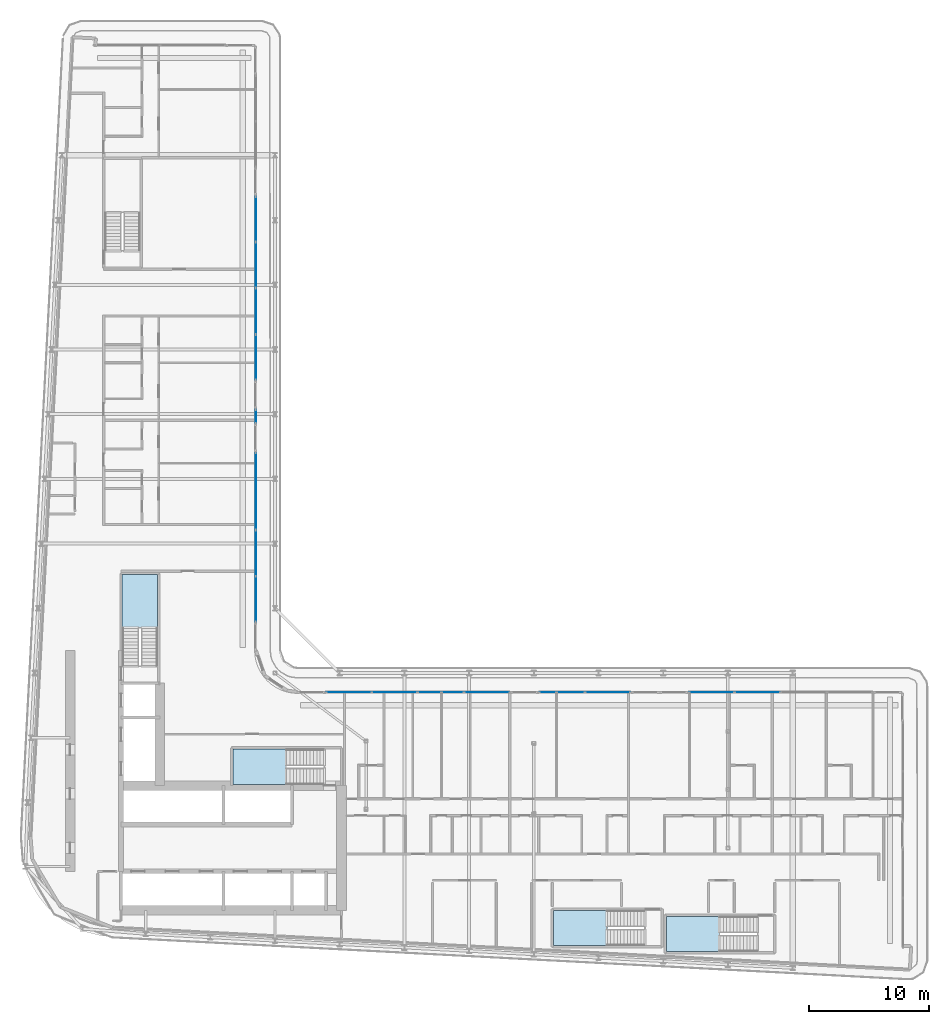
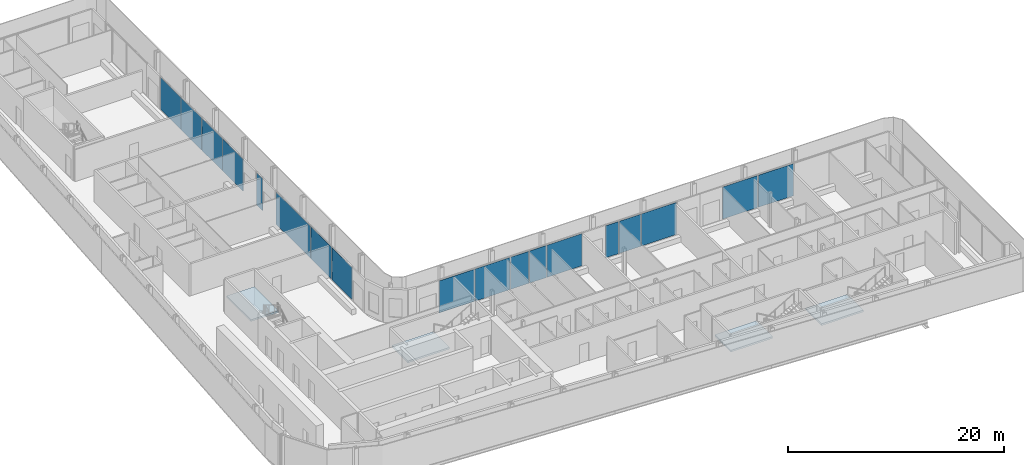
# One storey, part 12 of 30: 18 plates, 4 slabs, 13 elements without a shape of their own.
"""IFC4 building model written with IfcOpenShell, lengths in metres."""

from ifc_helpers import new_model, si_unit, direction, frame, origin, origin_2d, place, context, subcontext, project, spatial, polyline, rectangle, outline, extrude, material, layer, layer_set, type_object, element, aggregate, save


model = new_model("IFC4")

# Units and contexts
model_context = context("Model", 3, precision=1e-05, world=origin(), true_north=direction((0.0, 1.0)))
body_context = subcontext(model_context, "Body", "Model", "MODEL_VIEW")
ifc_project = project(units=[si_unit("LENGTHUNIT", "METRE"), si_unit("AREAUNIT", "SQUARE_METRE"), si_unit("VOLUMEUNIT", "CUBIC_METRE"), si_unit("PLANEANGLEUNIT", "RADIAN"), si_unit("MASSUNIT", "GRAM", prefix="KILO")], contexts=[model_context])

# Site, building, storey
site_placement = place(None, origin())
site = spatial("IfcSite", under=ifc_project, at=site_placement, CompositionType="ELEMENT")
building_placement = place(site_placement, origin())
building = spatial("IfcBuilding", under=site, at=building_placement, Name="Kheshtan School and Residences Tower", CompositionType="ELEMENT")
storey_placement = place(building_placement, frame((0.0, 0.0, 199.39990234375)))
storey = spatial("IfcBuildingStorey", under=building, at=storey_placement, Name="L47", CompositionType="ELEMENT", Elevation=199.39990234375)

# Curtain wall, plates
ifc_material_1 = material(Name="Clear low-e glass in thermally broken aluminium frame", Category="aluminium")
ifc_layer_1 = layer(ifc_material_1, 0.199951171875)
ifc_layer_set_1 = layer_set([ifc_layer_1], Name="Curtain wall CW-L")
curtain_wall_type = type_object("IfcCurtainWallType", Name="Curtain wall CW-L", PredefinedType="NOTDEFINED", material=ifc_layer_set_1)
curtain_wall_1_placement = place(storey_placement, origin())
curtain_wall_1 = element("IfcCurtainWall", 1, at=curtain_wall_1_placement, inside=storey, type_object=curtain_wall_type, Name="Curtain wall CWL8", PredefinedType="NOTDEFINED")
ifc_layer_2 = layer(ifc_material_1, 0.031982421875)
ifc_layer_set_2 = layer_set([ifc_layer_2], Name="CW-L glass panel")
plate_type = type_object("IfcPlateType", Name="CW-L glass panel", PredefinedType="CURTAIN_PANEL", material=ifc_layer_set_2)
plate_1_placement = place(storey_placement, frame((46.0, 83.467529296875, 0.000244140625), z_axis=(0.0, 0.0, 1.0), x_axis=(0.0, -1.0, 0.0)))
plate_1 = element("IfcPlate", 2, at=plate_1_placement, type_object=plate_type, Name="CWL8 panel 1.1", PredefinedType="CURTAIN_PANEL", context=body_context, shape_type="SweptSolid", body=[
    extrude(rectangle(XDim=3.757080078125, YDim=0.031982421875, at=origin_2d()), origin(), (0.0, 0.0, 1.0), 3.6298828125),
])
plate_2_placement = place(storey_placement, frame((46.0, 79.650390625, 0.000244140625), z_axis=(0.0, 0.0, 1.0), x_axis=(0.0, -1.0, 0.0)))
plate_2 = element("IfcPlate", 3, at=plate_2_placement, type_object=plate_type, Name="CWL8 panel 2.1", PredefinedType="CURTAIN_PANEL", context=body_context, shape_type="SweptSolid", body=[
    extrude(rectangle(XDim=3.757080078125, YDim=0.031982421875, at=origin_2d()), origin(), (0.0, 0.0, 1.0), 3.6298828125),
])
aggregate(curtain_wall_1, [plate_1, plate_2])

curtain_wall_2_placement = place(storey_placement, origin())
curtain_wall_2 = element("IfcCurtainWall", 4, at=curtain_wall_2_placement, inside=storey, type_object=curtain_wall_type, Name="Curtain wall CWL8", PredefinedType="NOTDEFINED")
plate_3_placement = place(storey_placement, frame((46.0, 75.803466796875, 0.000244140625), z_axis=(0.0, 0.0, 1.0), x_axis=(0.0, -1.0, 0.0)))
plate_3 = element("IfcPlate", 5, at=plate_3_placement, type_object=plate_type, Name="CWL8 panel 1.1", PredefinedType="CURTAIN_PANEL", context=body_context, shape_type="SweptSolid", body=[
    extrude(rectangle(XDim=3.81689453125, YDim=0.031982421875, at=origin_2d()), origin(), (0.0, 0.0, 1.0), 3.6298828125),
])
plate_4_placement = place(storey_placement, frame((46.0, 71.95654296875, 0.000244140625), z_axis=(0.0, 0.0, 1.0), x_axis=(0.0, -1.0, 0.0)))
plate_4 = element("IfcPlate", 6, at=plate_4_placement, type_object=plate_type, Name="CWL8 panel 2.1", PredefinedType="CURTAIN_PANEL", context=body_context, shape_type="SweptSolid", body=[
    extrude(rectangle(XDim=3.757080078125, YDim=0.031982421875, at=origin_2d()), origin(), (0.0, 0.0, 1.0), 3.6298828125),
])
aggregate(curtain_wall_2, [plate_3, plate_4])

# Curtain wall, plate
curtain_wall_3_placement = place(storey_placement, origin())
curtain_wall_3 = element("IfcCurtainWall", 7, at=curtain_wall_3_placement, inside=storey, type_object=curtain_wall_type, Name="Curtain wall CWL8g", PredefinedType="NOTDEFINED")
plate_5_placement = place(storey_placement, frame((46.0, 67.01806640625, 0.000244140625), z_axis=(0.0, 0.0, 1.0), x_axis=(0.0, -1.0, 0.0)))
plate_5 = element("IfcPlate", 8, at=plate_5_placement, type_object=plate_type, Name="CWL8g panel 1.1", PredefinedType="CURTAIN_PANEL", context=body_context, shape_type="SweptSolid", body=[
    extrude(rectangle(XDim=1.080078125, YDim=0.031982421875, at=origin_2d()), origin(), (0.0, 0.0, 1.0), 3.6298828125),
])
aggregate(curtain_wall_3, [plate_5])

curtain_wall_4_placement = place(storey_placement, origin())
curtain_wall_4 = element("IfcCurtainWall", 9, at=curtain_wall_4_placement, inside=storey, type_object=curtain_wall_type, Name="Curtain wall CWL8h", PredefinedType="NOTDEFINED")
plate_6_placement = place(storey_placement, frame((46.0, 60.77099609375, 0.000244140625), z_axis=(0.0, 0.0, 1.0), x_axis=(0.0, -1.0, 0.0)))
plate_6 = element("IfcPlate", 10, at=plate_6_placement, type_object=plate_type, Name="CWL8h panel 1.1", PredefinedType="CURTAIN_PANEL", context=body_context, shape_type="SweptSolid", body=[
    extrude(rectangle(XDim=6.3740234375, YDim=0.031982421875, at=origin_2d()), origin(), (0.0, 0.0, 1.0), 3.6298828125),
])
aggregate(curtain_wall_4, [plate_6])

# Curtain wall, plates
curtain_wall_5_placement = place(storey_placement, origin())
curtain_wall_5 = element("IfcCurtainWall", 11, at=curtain_wall_5_placement, inside=storey, type_object=curtain_wall_type, Name="Curtain wall CWL8", PredefinedType="NOTDEFINED")
plate_7_placement = place(storey_placement, frame((46.0, 55.615478515625, 0.000244140625), z_axis=(0.0, 0.0, 1.0), x_axis=(0.0, -1.0, 0.0)))
plate_7 = element("IfcPlate", 12, at=plate_7_placement, type_object=plate_type, Name="CWL8 panel 1.1", PredefinedType="CURTAIN_PANEL", context=body_context, shape_type="SweptSolid", body=[
    extrude(rectangle(XDim=3.81689453125, YDim=0.031982421875, at=origin_2d()), origin(), (0.0, 0.0, 1.0), 3.6298828125),
])
plate_8_placement = place(storey_placement, frame((46.0, 51.7685546875, 0.000244140625), z_axis=(0.0, 0.0, 1.0), x_axis=(0.0, -1.0, 0.0)))
plate_8 = element("IfcPlate", 13, at=plate_8_placement, type_object=plate_type, Name="CWL8 panel 2.1", PredefinedType="CURTAIN_PANEL", context=body_context, shape_type="SweptSolid", body=[
    extrude(rectangle(XDim=3.757080078125, YDim=0.031982421875, at=origin_2d()), origin(), (0.0, 0.0, 1.0), 3.6298828125),
])
aggregate(curtain_wall_5, [plate_7, plate_8])

curtain_wall_6_placement = place(storey_placement, origin())
curtain_wall_6 = element("IfcCurtainWall", 14, at=curtain_wall_6_placement, inside=storey, type_object=curtain_wall_type, Name="Curtain wall CWL12j", PredefinedType="NOTDEFINED")
plate_9_placement = place(storey_placement, frame((53.7685546875, 44.0, 0.000244140625), z_axis=(0.0, 0.0, 1.0), x_axis=(1.0, 0.0, 0.0)))
plate_9 = element("IfcPlate", 15, at=plate_9_placement, type_object=plate_type, Name="CWL12j panel 1.1", PredefinedType="CURTAIN_PANEL", context=body_context, shape_type="SweptSolid", body=[
    extrude(rectangle(XDim=3.757080078125, YDim=0.031982421875, at=origin_2d()), origin(), (0.0, 0.0, 1.0), 3.6298828125),
])
plate_10_placement = place(storey_placement, frame((57.58544921875, 44.0, 0.000244140625), z_axis=(0.0, 0.0, 1.0), x_axis=(1.0, 0.0, 0.0)))
plate_10 = element("IfcPlate", 16, at=plate_10_placement, type_object=plate_type, Name="CWL12j panel 2.1", PredefinedType="CURTAIN_PANEL", context=body_context, shape_type="SweptSolid", body=[
    extrude(rectangle(XDim=3.757080078125, YDim=0.031982421875, at=origin_2d()), origin(), (0.0, 0.0, 1.0), 3.6298828125),
])
aggregate(curtain_wall_6, [plate_9, plate_10])

curtain_wall_7_placement = place(storey_placement, origin())
curtain_wall_7 = element("IfcCurtainWall", 17, at=curtain_wall_7_placement, inside=storey, type_object=curtain_wall_type, Name="Curtain wall CWL12k", PredefinedType="NOTDEFINED")
plate_11_placement = place(storey_placement, frame((60.4970703125, 44.0, 0.000244140625), z_axis=(0.0, 0.0, 1.0), x_axis=(1.0, 0.0, 0.0)))
plate_11 = element("IfcPlate", 18, at=plate_11_placement, type_object=plate_type, Name="CWL12k panel 1.1", PredefinedType="CURTAIN_PANEL", context=body_context, shape_type="SweptSolid", body=[
    extrude(rectangle(XDim=1.946044921875, YDim=0.031982421875, at=origin_2d()), origin(), (0.0, 0.0, 1.0), 3.6298828125),
])
plate_12_placement = place(storey_placement, frame((62.435546875, 44.0, 0.000244140625), z_axis=(0.0, 0.0, 1.0), x_axis=(1.0, 0.0, 0.0)))
plate_12 = element("IfcPlate", 19, at=plate_12_placement, type_object=plate_type, Name="CWL12k panel 2.1", PredefinedType="CURTAIN_PANEL", context=body_context, shape_type="SweptSolid", body=[
    extrude(rectangle(XDim=1.81103515625, YDim=0.031982421875, at=origin_2d()), origin(), (0.0, 0.0, 1.0), 3.6298828125),
])
plate_13_placement = place(storey_placement, frame((65.279541015625, 44.0, 0.000244140625), z_axis=(0.0, 0.0, 1.0), x_axis=(1.0, 0.0, 0.0)))
plate_13 = element("IfcPlate", 20, at=plate_13_placement, type_object=plate_type, Name="CWL12k panel 3.1", PredefinedType="CURTAIN_PANEL", context=body_context, shape_type="SweptSolid", body=[
    extrude(rectangle(XDim=3.757080078125, YDim=0.031982421875, at=origin_2d()), origin(), (0.0, 0.0, 1.0), 3.6298828125),
])
aggregate(curtain_wall_7, [plate_11, plate_12, plate_13])

curtain_wall_8_placement = place(storey_placement, origin())
curtain_wall_8 = element("IfcCurtainWall", 21, at=curtain_wall_8_placement, inside=storey, type_object=curtain_wall_type, Name="Curtain wall CWL12k", PredefinedType="NOTDEFINED")
plate_14_placement = place(storey_placement, frame((70.3740234375, 44.0, 0.000244140625), z_axis=(0.0, 0.0, 1.0), x_axis=(1.0, 0.0, 0.0)))
plate_14 = element("IfcPlate", 22, at=plate_14_placement, type_object=plate_type, Name="CWL12k panel 1.1", PredefinedType="CURTAIN_PANEL", context=body_context, shape_type="SweptSolid", body=[
    extrude(rectangle(XDim=1.39208984375, YDim=0.031982421875, at=origin_2d()), origin(), (0.0, 0.0, 1.0), 3.6298828125),
])
plate_15_placement = place(storey_placement, frame((72.282470703125, 44.0, 0.000244140625), z_axis=(0.0, 0.0, 1.0), x_axis=(1.0, 0.0, 0.0)))
plate_15 = element("IfcPlate", 23, at=plate_15_placement, type_object=plate_type, Name="CWL12k panel 2.1", PredefinedType="CURTAIN_PANEL", context=body_context, shape_type="SweptSolid", body=[
    extrude(rectangle(XDim=2.304931640625, YDim=0.031982421875, at=origin_2d()), origin(), (0.0, 0.0, 1.0), 3.6298828125),
])
plate_16_placement = place(storey_placement, frame((75.37353515625, 44.0, 0.000244140625), z_axis=(0.0, 0.0, 1.0), x_axis=(1.0, 0.0, 0.0)))
plate_16 = element("IfcPlate", 24, at=plate_16_placement, type_object=plate_type, Name="CWL12k panel 3.1", PredefinedType="CURTAIN_PANEL", context=body_context, shape_type="SweptSolid", body=[
    extrude(rectangle(XDim=3.757080078125, YDim=0.031982421875, at=origin_2d()), origin(), (0.0, 0.0, 1.0), 3.6298828125),
])
aggregate(curtain_wall_8, [plate_14, plate_15, plate_16])

curtain_wall_9_placement = place(storey_placement, origin())
curtain_wall_9 = element("IfcCurtainWall", 25, at=curtain_wall_9_placement, inside=storey, type_object=curtain_wall_type, Name="Curtain wall CWL12j", PredefinedType="NOTDEFINED")
plate_17_placement = place(storey_placement, frame((84.050537109375, 44.0, 0.000244140625), z_axis=(0.0, 0.0, 1.0), x_axis=(1.0, 0.0, 0.0)))
plate_17 = element("IfcPlate", 26, at=plate_17_placement, type_object=plate_type, Name="CWL12j panel 1.1", PredefinedType="CURTAIN_PANEL", context=body_context, shape_type="SweptSolid", body=[
    extrude(rectangle(XDim=3.757080078125, YDim=0.031982421875, at=origin_2d()), origin(), (0.0, 0.0, 1.0), 3.6298828125),
])
plate_18_placement = place(storey_placement, frame((87.867431640625, 44.0, 0.000244140625), z_axis=(0.0, 0.0, 1.0), x_axis=(1.0, 0.0, 0.0)))
plate_18 = element("IfcPlate", 27, at=plate_18_placement, type_object=plate_type, Name="CWL12j panel 2.1", PredefinedType="CURTAIN_PANEL", context=body_context, shape_type="SweptSolid", body=[
    extrude(rectangle(XDim=3.757080078125, YDim=0.031982421875, at=origin_2d()), origin(), (0.0, 0.0, 1.0), 3.6298828125),
])
aggregate(curtain_wall_9, [plate_17, plate_18])

# Stair, slab
ifc_material_2 = material(Name="Concrete C40/50", Category="concrete")
stair_type = type_object("IfcStairType", Name="Exit stair, half-turn", PredefinedType="HALF_TURN_STAIR", material=ifc_material_2)
stair_1_placement = place(storey_placement, origin())
stair_1 = element("IfcStair", 28, at=stair_1_placement, inside=storey, type_object=stair_type, Name="L47 Protected Exit Stair ST1", PredefinedType="HALF_TURN_STAIR")
ifc_layer_3 = layer(ifc_material_2, 0.199951171875)
ifc_layer_set_3 = layer_set([ifc_layer_3], Name="Stair landing 200 Concrete C40/50")
slab_type = type_object("IfcSlabType", Name="Stair landing 200 Concrete C40/50", PredefinedType="LANDING", material=ifc_layer_set_3)
slab_1_placement = place(storey_placement, frame((0.0, 0.0, 1.75)))
slab_1 = element("IfcSlab", 29, at=slab_1_placement, type_object=slab_type, Name="ST1 landing 1", PredefinedType="LANDING", context=body_context, shape_type="SweptSolid", body=[
    extrude(outline(polyline([(48.570068359375, 39.25), (44.090087890625, 39.25), (44.090087890625, 36.300048828125), (48.570068359375, 36.300048828125), (48.570068359375, 39.25)])), origin(), (0.0, 0.0, 1.0), 0.2001953125),
])
aggregate(stair_1, [slab_1])

stair_2_placement = place(storey_placement, origin())
stair_2 = element("IfcStair", 30, at=stair_2_placement, inside=storey, type_object=stair_type, Name="L47 Protected Exit Stair ST2", PredefinedType="HALF_TURN_STAIR")
slab_2_placement = place(storey_placement, frame((0.0, 0.0, 1.75)))
slab_2 = element("IfcSlab", 31, at=slab_2_placement, type_object=slab_type, Name="ST2 landing 1", PredefinedType="LANDING", context=body_context, shape_type="SweptSolid", body=[
    extrude(outline(polyline([(37.800048828125, 49.330078125), (37.800048828125, 53.81005859375), (34.85009765625, 53.81005859375), (34.85009765625, 49.330078125), (37.800048828125, 49.330078125)])), origin(), (0.0, 0.0, 1.0), 0.2001953125),
])
aggregate(stair_2, [slab_2])

stair_3_placement = place(storey_placement, origin())
stair_3 = element("IfcStair", 32, at=stair_3_placement, inside=storey, type_object=stair_type, Name="L47 Protected Exit Stair ST4", PredefinedType="HALF_TURN_STAIR")
slab_3_placement = place(storey_placement, frame((0.0, 0.0, 1.75)))
slab_3 = element("IfcSlab", 33, at=slab_3_placement, type_object=slab_type, Name="ST4 landing 1", PredefinedType="LANDING", context=body_context, shape_type="SweptSolid", body=[
    extrude(outline(polyline([(84.739990234375, 25.300048828125), (80.260009765625, 25.300048828125), (80.260009765625, 22.35009765625), (84.739990234375, 22.35009765625), (84.739990234375, 25.300048828125)])), origin(), (0.0, 0.0, 1.0), 0.2001953125),
])
aggregate(stair_3, [slab_3])

stair_4_placement = place(storey_placement, origin())
stair_4 = element("IfcStair", 34, at=stair_4_placement, inside=storey, type_object=stair_type, Name="L47 Protected Exit Stair ST5", PredefinedType="HALF_TURN_STAIR")
slab_4_placement = place(storey_placement, frame((0.0, 0.0, 1.75)))
slab_4 = element("IfcSlab", 35, at=slab_4_placement, type_object=slab_type, Name="ST5 landing 1", PredefinedType="LANDING", context=body_context, shape_type="SweptSolid", body=[
    extrude(outline(polyline([(75.330078125, 25.800048828125), (70.85009765625, 25.800048828125), (70.85009765625, 22.85009765625), (75.330078125, 22.85009765625), (75.330078125, 25.800048828125)])), origin(), (0.0, 0.0, 1.0), 0.2001953125),
])
aggregate(stair_4, [slab_4])

save(model, "model.ifc")
